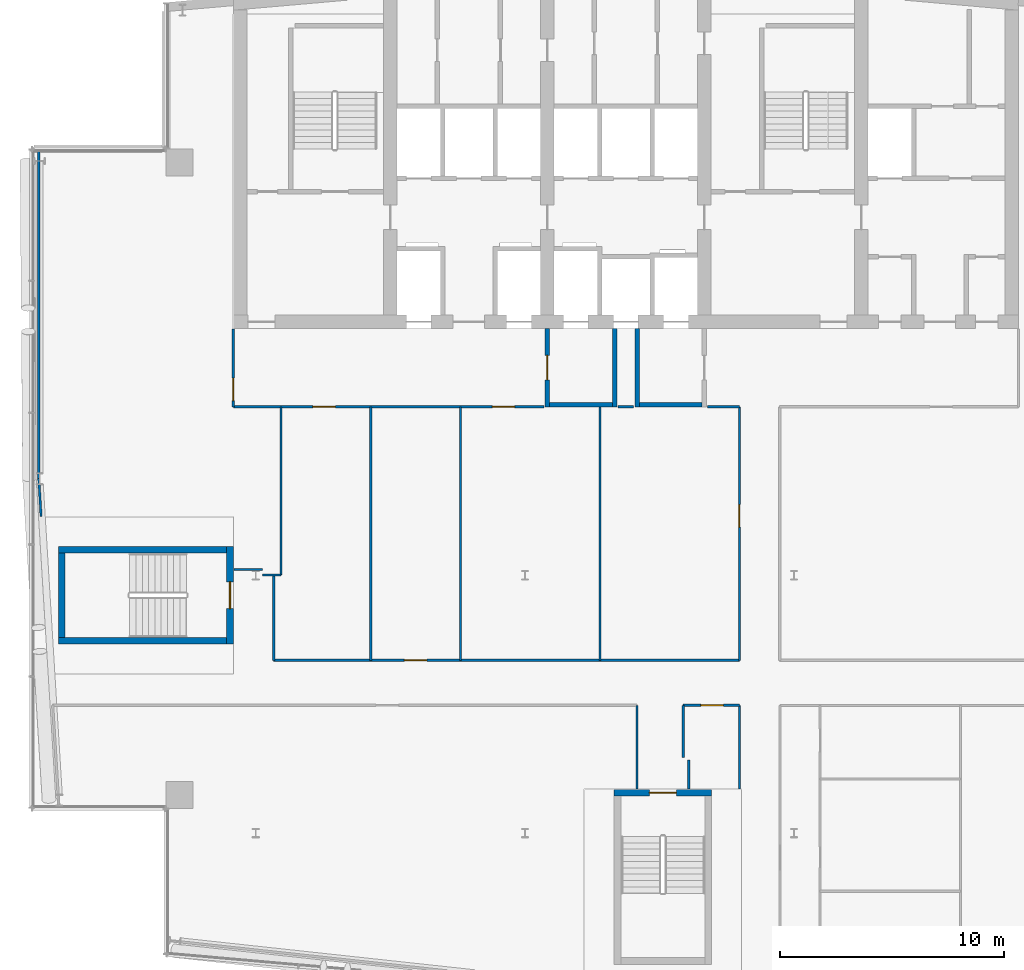
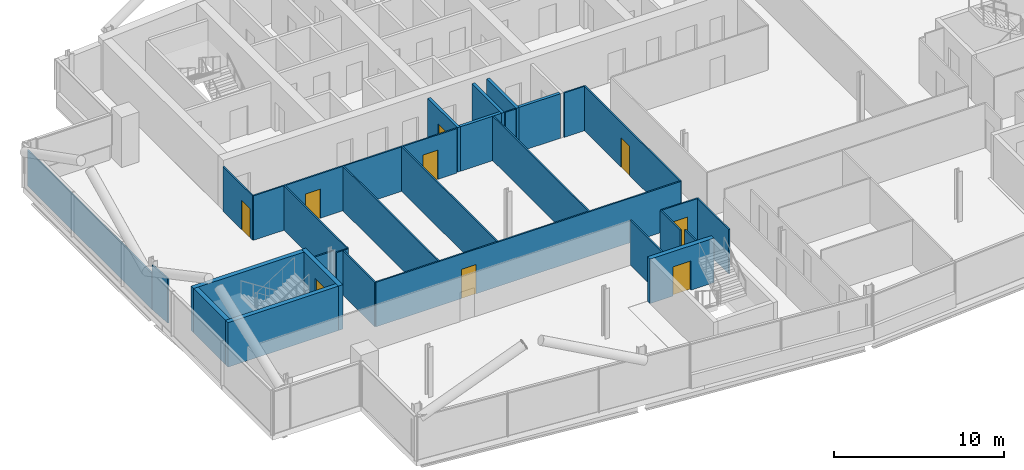
# One storey, part 15 of 26: 30 walls, 9 doors, 9 openings.
"""IFC4 building model written with IfcOpenShell, lengths in metres."""

from ifc_helpers import new_model, si_unit, direction, frame, frame_2d, origin, place, context, subcontext, project, spatial, rectangle, extrude, material, layer, layer_set, type_object, element, fill, save


model = new_model("IFC4")

# Units and contexts
model_context = context("Model", 3, precision=1e-05, world=origin(), true_north=direction((0.0, 1.0)))
body_context = subcontext(model_context, "Body", "Model", "MODEL_VIEW")
ifc_project = project(units=[si_unit("LENGTHUNIT", "METRE"), si_unit("AREAUNIT", "SQUARE_METRE"), si_unit("VOLUMEUNIT", "CUBIC_METRE"), si_unit("PLANEANGLEUNIT", "RADIAN"), si_unit("MASSUNIT", "GRAM", prefix="KILO")], contexts=[model_context])

# Site, building, storey
site_placement = place(None, origin())
site = spatial("IfcSite", under=ifc_project, at=site_placement, CompositionType="ELEMENT")
building_placement = place(site_placement, origin())
building = spatial("IfcBuilding", under=site, at=building_placement, Name="Wharfspan Tower", CompositionType="ELEMENT")
storey_placement = place(building_placement, frame((0.0, 0.0, 217.899902)))
storey = spatial("IfcBuildingStorey", under=building, at=storey_placement, Name="L54", CompositionType="ELEMENT", Elevation=217.899902)

# Wall, opening, door
ifc_material_1 = material(Name="Gypsum board on steel studs", Category="steel")
ifc_layer_1 = layer(ifc_material_1, 0.100098)
ifc_layer_set_1 = layer_set([ifc_layer_1], Name="Gypsum board on steel studs")
wall_type_1 = type_object("IfcWallType", Name="Compartment wall 100 EI 60", PredefinedType="PARTITIONING", material=ifc_layer_set_1)
wall_1_placement = place(storey_placement, frame((23.0, 30.5, 0.0), z_axis=(0.0, 0.0, 1.0), x_axis=(0.0, 1.0, 0.0)))
wall_1 = element("IfcWall", 1, at=wall_1_placement, inside=storey, type_object=wall_type_1, Name="Partition L54.w005", PredefinedType="PARTITIONING", context=body_context, shape_type="SweptSolid", body=[
    extrude(rectangle(XDim=3.47998, YDim=0.100098, at=frame_2d((1.73999, 0.0))), origin(), (0.0, 0.0, 1.0), 3.200195),
])
opening_1_placement = place(wall_1_placement, frame((0.280029, 0.0, 0.0)))
opening_1 = element("IfcOpeningElement", 2, at=opening_1_placement, cuts=wall_1, Name="Opening D2-16", PredefinedType="OPENING", context=body_context, shape_type="SweptSolid", body=[
    extrude(rectangle(XDim=1.0, YDim=2.100098, at=frame_2d((0.5, 1.050049))), frame((0.0, 0.060059, 0.0), z_axis=(0.0, -1.0, 0.0), x_axis=(1.0, 0.0, 0.0)), (0.0, 0.0, 1.0), 0.120117),
])
ifc_material_2 = material(Name="Fire-rated timber door leaf in steel frame", Category="steel")
door_type_1 = type_object("IfcDoorType", Name="Door 1000 FD30S Left", OperationType="SINGLE_SWING_LEFT", PredefinedType="DOOR", material=ifc_material_2)
door_1_placement = place(opening_1_placement, origin())
door_1 = element("IfcDoor", 3, at=door_1_placement, inside=storey, type_object=door_type_1, Name="Door D2-16", OperationType="SINGLE_SWING_LEFT", OverallHeight=2.100098, OverallWidth=1.0, PredefinedType="DOOR", context=body_context, shape_type="SweptSolid", body=[
    extrude(rectangle(XDim=1.0, YDim=2.100098, at=frame_2d((0.5, 1.050049))), frame((0.0, 0.024902, 0.0), z_axis=(0.0, -1.0, 0.0), x_axis=(1.0, 0.0, 0.0)), (0.0, 0.0, 1.0), 0.050049),
])
fill(opening_1, door_1)

# Wall, openings, doors
wall_2_placement = place(storey_placement, frame((23.0, 30.5, 0.0), z_axis=(0.0, 0.0, 1.0), x_axis=(1.0, 0.0, 0.0)))
wall_2 = element("IfcWall", 4, at=wall_2_placement, inside=storey, type_object=wall_type_1, Name="Partition L54.w006", PredefinedType="PARTITIONING", context=body_context, shape_type="SweptSolid", body=[
    extrude(rectangle(XDim=13.850098, YDim=0.100098, at=frame_2d((6.925049, 0.0))), origin(), (0.0, 0.0, 1.0), 3.200195),
])
opening_2_placement = place(wall_2_placement, frame((3.544922, 0.0, 0.0)))
opening_2 = element("IfcOpeningElement", 5, at=opening_2_placement, cuts=wall_2, Name="Opening D2-13", PredefinedType="OPENING", context=body_context, shape_type="SweptSolid", body=[
    extrude(rectangle(XDim=1.0, YDim=2.100098, at=frame_2d((0.5, 1.050049))), frame((0.0, 0.060059, 0.0), z_axis=(0.0, -1.0, 0.0), x_axis=(1.0, 0.0, 0.0)), (0.0, 0.0, 1.0), 0.120117),
])
opening_3_placement = place(wall_2_placement, frame((11.544922, 0.0, 0.0)))
opening_3 = element("IfcOpeningElement", 6, at=opening_3_placement, cuts=wall_2, Name="Opening D2-14", PredefinedType="OPENING", context=body_context, shape_type="SweptSolid", body=[
    extrude(rectangle(XDim=1.0, YDim=2.100098, at=frame_2d((0.5, 1.050049))), frame((0.0, 0.060059, 0.0), z_axis=(0.0, -1.0, 0.0), x_axis=(1.0, 0.0, 0.0)), (0.0, 0.0, 1.0), 0.120117),
])
door_2_placement = place(opening_2_placement, origin())
door_2 = element("IfcDoor", 7, at=door_2_placement, inside=storey, type_object=door_type_1, Name="Door D2-13", OperationType="SINGLE_SWING_LEFT", OverallHeight=2.100098, OverallWidth=1.0, PredefinedType="DOOR", context=body_context, shape_type="SweptSolid", body=[
    extrude(rectangle(XDim=1.0, YDim=2.100098, at=frame_2d((0.5, 1.050049))), frame((0.0, 0.024902, 0.0), z_axis=(0.0, -1.0, 0.0), x_axis=(1.0, 0.0, 0.0)), (0.0, 0.0, 1.0), 0.050049),
])
fill(opening_2, door_2)
door_type_2 = type_object("IfcDoorType", Name="Door 1000 FD30S Right", OperationType="SINGLE_SWING_RIGHT", PredefinedType="DOOR", material=ifc_material_2)
door_3_placement = place(opening_3_placement, origin())
door_3 = element("IfcDoor", 8, at=door_3_placement, inside=storey, type_object=door_type_2, Name="Door D2-14", OperationType="SINGLE_SWING_RIGHT", OverallHeight=2.100098, OverallWidth=1.0, PredefinedType="DOOR", context=body_context, shape_type="SweptSolid", body=[
    extrude(rectangle(XDim=1.0, YDim=2.100098, at=frame_2d((0.5, 1.050049))), frame((0.0, 0.024902, 0.0), z_axis=(0.0, -1.0, 0.0), x_axis=(1.0, 0.0, 0.0)), (0.0, 0.0, 1.0), 0.050049),
])
fill(opening_3, door_3)

# Walls
wall_3_placement = place(storey_placement, frame((23.02002, 23.25, 0.0), z_axis=(0.0, 0.0, 1.0), x_axis=(1.0, 0.0, 0.0)))
element("IfcWall", 9, at=wall_3_placement, inside=storey, type_object=wall_type_1, Name="Partition L54.w007", PredefinedType="PARTITIONING", context=body_context, shape_type="SweptSolid", body=[
    extrude(rectangle(XDim=1.280029, YDim=0.100098, at=frame_2d((0.640137, 0.0))), origin(), (0.0, 0.0, 1.0), 3.200195),
])
wall_4_placement = place(storey_placement, frame((24.304932, 23.0, 0.0), z_axis=(0.0, 0.0, 1.0), x_axis=(1.0, 0.0, 0.0)))
element("IfcWall", 10, at=wall_4_placement, inside=storey, type_object=wall_type_1, Name="Partition L54.w008", PredefinedType="PARTITIONING", context=body_context, shape_type="SweptSolid", body=[
    extrude(rectangle(XDim=0.820068, YDim=0.100098, at=frame_2d((0.410156, 0.0))), origin(), (0.0, 0.0, 1.0), 3.200195),
])
wall_5_placement = place(storey_placement, frame((24.800049, 19.199951, 0.0), z_axis=(0.0, 0.0, 1.0), x_axis=(0.0, 1.0, 0.0)))
element("IfcWall", 11, at=wall_5_placement, inside=storey, type_object=wall_type_1, Name="Partition L54.w009", PredefinedType="PARTITIONING", context=body_context, shape_type="SweptSolid", body=[
    extrude(rectangle(XDim=3.800049, YDim=0.100098, at=frame_2d((1.899902, 0.0))), origin(), (0.0, 0.0, 1.0), 3.200195),
])

# Wall, opening, door
wall_6_placement = place(storey_placement, frame((24.800049, 19.199951, 0.0), z_axis=(0.0, 0.0, 1.0), x_axis=(1.0, 0.0, 0.0)))
wall_6 = element("IfcWall", 12, at=wall_6_placement, inside=storey, type_object=wall_type_1, Name="Partition L54.w010", PredefinedType="PARTITIONING", context=body_context, shape_type="SweptSolid", body=[
    extrude(rectangle(XDim=20.76001, YDim=0.100098, at=frame_2d((10.379883, 0.0))), origin(), (0.0, 0.0, 1.0), 3.200195),
])
opening_4_placement = place(wall_6_placement, frame((5.824951, 0.0, 0.0)))
opening_4 = element("IfcOpeningElement", 13, at=opening_4_placement, cuts=wall_6, Name="Opening D2-09", PredefinedType="OPENING", context=body_context, shape_type="SweptSolid", body=[
    extrude(rectangle(XDim=1.0, YDim=2.100098, at=frame_2d((0.5, 1.050049))), frame((0.0, 0.060059, 0.0), z_axis=(0.0, -1.0, 0.0), x_axis=(1.0, 0.0, 0.0)), (0.0, 0.0, 1.0), 0.120117),
])
door_4_placement = place(opening_4_placement, origin())
door_4 = element("IfcDoor", 14, at=door_4_placement, inside=storey, type_object=door_type_1, Name="Door D2-09", OperationType="SINGLE_SWING_LEFT", OverallHeight=2.100098, OverallWidth=1.0, PredefinedType="DOOR", context=body_context, shape_type="SweptSolid", body=[
    extrude(rectangle(XDim=1.0, YDim=2.100098, at=frame_2d((0.5, 1.050049))), frame((0.0, 0.024902, 0.0), z_axis=(0.0, -1.0, 0.0), x_axis=(1.0, 0.0, 0.0)), (0.0, 0.0, 1.0), 0.050049),
])
fill(opening_4, door_4)

# Walls
wall_7_placement = place(storey_placement, frame((25.125, 23.0, 0.0), z_axis=(0.0, 0.0, 1.0), x_axis=(0.0, 1.0, 0.0)))
element("IfcWall", 15, at=wall_7_placement, inside=storey, type_object=wall_type_1, Name="Partition L54.w011", PredefinedType="PARTITIONING", context=body_context, shape_type="SweptSolid", body=[
    extrude(rectangle(XDim=7.5, YDim=0.100098, at=frame_2d((3.75, 0.0))), origin(), (0.0, 0.0, 1.0), 3.200195),
])
for number, where, z_axis, x_axis, name in (
    (16, (29.125, 19.199951, 0.0), (0.0, 0.0, 1.0), (0.0, 1.0, 0.0), "Partition L54.w012"),
    (17, (33.125, 19.199951, 0.0), (0.0, 0.0, 1.0), (0.0, 1.0, 0.0), "Partition L54.w013"),
    (18, (39.344971, 19.199951, 0.0), (0.0, 0.0, 1.0), (0.0, 1.0, 0.0), "Partition L54.w015"),
):
    element("IfcWall", number, at=place(storey_placement, frame(where, z_axis=z_axis, x_axis=x_axis)), inside=storey, type_object=wall_type_1, Name=name, PredefinedType="PARTITIONING", context=body_context, shape_type="SweptSolid", body=[
        extrude(rectangle(XDim=11.300049, YDim=0.100098, at=frame_2d((5.649902, 0.0))), origin(), (0.0, 0.0, 1.0), 3.200195),
    ])
wall_8_placement = place(storey_placement, frame((41.0, 13.463135, 0.0), z_axis=(0.0, 0.0, 1.0), x_axis=(0.0, 1.0, 0.0)))
element("IfcWall", 19, at=wall_8_placement, inside=storey, type_object=wall_type_1, Name="Partition L54.w016", PredefinedType="PARTITIONING", context=body_context, shape_type="SweptSolid", body=[
    extrude(rectangle(XDim=3.731934, YDim=0.100098, at=frame_2d((1.865967, 0.0))), origin(), (0.0, 0.0, 1.0), 3.200195),
])
wall_9_placement = place(storey_placement, frame((43.054932, 14.860107, 0.0), z_axis=(0.0, 0.0, 1.0), x_axis=(0.0, 1.0, 0.0)))
element("IfcWall", 20, at=wall_9_placement, inside=storey, type_object=wall_type_1, Name="Partition L54.w017", PredefinedType="PARTITIONING", context=body_context, shape_type="SweptSolid", body=[
    extrude(rectangle(XDim=2.334961, YDim=0.100098, at=frame_2d((1.16748, 0.0))), origin(), (0.0, 0.0, 1.0), 3.200195),
])

# Wall, opening, door
wall_10_placement = place(storey_placement, frame((43.054932, 17.195068, 0.0), z_axis=(0.0, 0.0, 1.0), x_axis=(1.0, 0.0, 0.0)))
wall_10 = element("IfcWall", 21, at=wall_10_placement, inside=storey, type_object=wall_type_1, Name="Partition L54.w018", PredefinedType="PARTITIONING", context=body_context, shape_type="SweptSolid", body=[
    extrude(rectangle(XDim=2.505127, YDim=0.100098, at=frame_2d((1.252441, 0.0))), origin(), (0.0, 0.0, 1.0), 3.200195),
])
opening_5_placement = place(wall_10_placement, frame((0.789307, 0.0, 0.0)))
opening_5 = element("IfcOpeningElement", 22, at=opening_5_placement, cuts=wall_10, Name="Opening D2-07", PredefinedType="OPENING", context=body_context, shape_type="SweptSolid", body=[
    extrude(rectangle(XDim=1.0, YDim=2.100098, at=frame_2d((0.5, 1.050049))), frame((0.0, 0.060059, 0.0), z_axis=(0.0, -1.0, 0.0), x_axis=(1.0, 0.0, 0.0)), (0.0, 0.0, 1.0), 0.120117),
])
door_5_placement = place(opening_5_placement, origin())
door_5 = element("IfcDoor", 23, at=door_5_placement, inside=storey, type_object=door_type_2, Name="Door D2-07", OperationType="SINGLE_SWING_RIGHT", OverallHeight=2.100098, OverallWidth=1.0, PredefinedType="DOOR", context=body_context, shape_type="SweptSolid", body=[
    extrude(rectangle(XDim=1.0, YDim=2.100098, at=frame_2d((0.5, 1.050049))), frame((0.0, 0.024902, 0.0), z_axis=(0.0, -1.0, 0.0), x_axis=(1.0, 0.0, 0.0)), (0.0, 0.0, 1.0), 0.050049),
])
fill(opening_5, door_5)

# Walls
wall_11_placement = place(storey_placement, frame((43.304932, 13.463135, 0.0), z_axis=(0.0, 0.0, 1.0), x_axis=(0.0, 1.0, 0.0)))
element("IfcWall", 24, at=wall_11_placement, inside=storey, type_object=wall_type_1, Name="Partition L54.w019", PredefinedType="PARTITIONING", context=body_context, shape_type="SweptSolid", body=[
    extrude(rectangle(XDim=1.281982, YDim=0.100098, at=frame_2d((0.641113, 0.0))), origin(), (0.0, 0.0, 1.0), 3.200195),
])
wall_12_placement = place(storey_placement, frame((45.560059, 13.463135, 0.0), z_axis=(0.0, 0.0, 1.0), x_axis=(0.0, 1.0, 0.0)))
element("IfcWall", 25, at=wall_12_placement, inside=storey, type_object=wall_type_1, Name="Partition L54.w020", PredefinedType="PARTITIONING", context=body_context, shape_type="SweptSolid", body=[
    extrude(rectangle(XDim=3.731934, YDim=0.100098, at=frame_2d((1.865967, 0.0))), origin(), (0.0, 0.0, 1.0), 3.200195),
])

# Wall, opening, door
wall_13_placement = place(storey_placement, frame((45.560059, 19.199951, 0.0), z_axis=(0.0, 0.0, 1.0), x_axis=(0.0, 1.0, 0.0)))
wall_13 = element("IfcWall", 26, at=wall_13_placement, inside=storey, type_object=wall_type_1, Name="Partition L54.w021", PredefinedType="PARTITIONING", context=body_context, shape_type="SweptSolid", body=[
    extrude(rectangle(XDim=11.300049, YDim=0.100098, at=frame_2d((5.649902, 0.0))), origin(), (0.0, 0.0, 1.0), 3.200195),
])
opening_6_placement = place(wall_13_placement, frame((5.939941, 0.0, 0.0)))
opening_6 = element("IfcOpeningElement", 27, at=opening_6_placement, cuts=wall_13, Name="Opening D2-12", PredefinedType="OPENING", context=body_context, shape_type="SweptSolid", body=[
    extrude(rectangle(XDim=1.0, YDim=2.100098, at=frame_2d((0.5, 1.050049))), frame((0.0, 0.060059, 0.0), z_axis=(0.0, -1.0, 0.0), x_axis=(1.0, 0.0, 0.0)), (0.0, 0.0, 1.0), 0.120117),
])
door_6_placement = place(opening_6_placement, origin())
door_6 = element("IfcDoor", 28, at=door_6_placement, inside=storey, type_object=door_type_2, Name="Door D2-12", OperationType="SINGLE_SWING_RIGHT", OverallHeight=2.100098, OverallWidth=1.0, PredefinedType="DOOR", context=body_context, shape_type="SweptSolid", body=[
    extrude(rectangle(XDim=1.0, YDim=2.100098, at=frame_2d((0.5, 1.050049))), frame((0.0, 0.024902, 0.0), z_axis=(0.0, -1.0, 0.0), x_axis=(1.0, 0.0, 0.0)), (0.0, 0.0, 1.0), 0.050049),
])
fill(opening_6, door_6)

# Walls
wall_14_placement = place(storey_placement, frame((40.149902, 30.5, 0.0), z_axis=(0.0, 0.0, 1.0), x_axis=(1.0, 0.0, 0.0)))
element("IfcWall", 29, at=wall_14_placement, inside=storey, type_object=wall_type_1, Name="Partition L54.w006 (2)", PredefinedType="PARTITIONING", context=body_context, shape_type="SweptSolid", body=[
    extrude(rectangle(XDim=0.700195, YDim=0.100098, at=frame_2d((0.350098, 0.0))), origin(), (0.0, 0.0, 1.0), 3.200195),
])
wall_15_placement = place(storey_placement, frame((44.149902, 30.5, 0.0), z_axis=(0.0, 0.0, 1.0), x_axis=(1.0, 0.0, 0.0)))
element("IfcWall", 30, at=wall_15_placement, inside=storey, type_object=wall_type_1, Name="Partition L54.w006 (3)", PredefinedType="PARTITIONING", context=body_context, shape_type="SweptSolid", body=[
    extrude(rectangle(XDim=1.410156, YDim=0.100098, at=frame_2d((0.705078, 0.0))), origin(), (0.0, 0.0, 1.0), 3.200195),
])

# Wall, opening, door
ifc_material_3 = material(Name="Concrete C30/37", Category="concrete")
ifc_layer_2 = layer(ifc_material_3, 0.199951)
ifc_layer_set_2 = layer_set([ifc_layer_2], Name="Concrete C30/37")
wall_type_2 = type_object("IfcWallType", Name="Lobby wall 200", PredefinedType="PARTITIONING", material=ifc_layer_set_2)
wall_16_placement = place(storey_placement, frame((37.0, 30.5, 0.0), z_axis=(0.0, 0.0, 1.0), x_axis=(0.0, 1.0, 0.0)))
wall_16 = element("IfcWall", 31, at=wall_16_placement, inside=storey, type_object=wall_type_2, Name="sw:L54:FLFF1W", PredefinedType="PARTITIONING", context=body_context, shape_type="SweptSolid", body=[
    extrude(rectangle(XDim=3.5, YDim=0.199951, at=frame_2d((1.75, 0.0))), origin(), (0.0, 0.0, 1.0), 3.200195),
])
opening_7_placement = place(wall_16_placement, frame((1.199951, 0.0, 0.0)))
opening_7 = element("IfcOpeningElement", 32, at=opening_7_placement, cuts=wall_16, Name="Opening FL.FF1.L54", PredefinedType="OPENING", context=body_context, shape_type="SweptSolid", body=[
    extrude(rectangle(XDim=1.100098, YDim=2.100098, at=frame_2d((0.550049, 1.050049))), frame((0.0, 0.109863, 0.0), z_axis=(0.0, -1.0, 0.0), x_axis=(1.0, 0.0, 0.0)), (0.0, 0.0, 1.0), 0.219971),
])
ifc_material_4 = material(Name="Steel door leaf", Category="steel")
door_type_3 = type_object("IfcDoorType", Name="Firefighting lobby door 1100x2100", OperationType="SINGLE_SWING_LEFT", PredefinedType="DOOR", material=ifc_material_4)
door_7_placement = place(opening_7_placement, origin())
door_7 = element("IfcDoor", 33, at=door_7_placement, inside=storey, type_object=door_type_3, Name="fd:L54:FF1", OperationType="SINGLE_SWING_LEFT", OverallHeight=2.100098, OverallWidth=1.100098, PredefinedType="DOOR", context=body_context, shape_type="SweptSolid", body=[
    extrude(rectangle(XDim=1.100098, YDim=2.100098, at=frame_2d((0.550049, 1.050049))), frame((0.0, 0.024902, 0.0), z_axis=(0.0, -1.0, 0.0), x_axis=(1.0, 0.0, 0.0)), (0.0, 0.0, 1.0), 0.050049),
])
fill(opening_7, door_7)

# Walls
wall_17_placement = place(storey_placement, frame((40.0, 30.5, 0.0), z_axis=(0.0, 0.0, 1.0), x_axis=(0.0, 1.0, 0.0)))
element("IfcWall", 34, at=wall_17_placement, inside=storey, type_object=wall_type_2, Name="sw:L54:FLFF1E", PredefinedType="PARTITIONING", context=body_context, shape_type="SweptSolid", body=[
    extrude(rectangle(XDim=3.5, YDim=0.199951, at=frame_2d((1.75, 0.0))), origin(), (0.0, 0.0, 1.0), 3.200195),
])
wall_18_placement = place(storey_placement, frame((37.100098, 30.600098, 0.0), z_axis=(0.0, 0.0, 1.0), x_axis=(1.0, 0.0, 0.0)))
element("IfcWall", 35, at=wall_18_placement, inside=storey, type_object=wall_type_2, Name="sw:L54:FLFF1F", PredefinedType="PARTITIONING", context=body_context, shape_type="SweptSolid", body=[
    extrude(rectangle(XDim=2.799805, YDim=0.199951, at=frame_2d((1.399902, 0.0))), origin(), (0.0, 0.0, 1.0), 3.200195),
])
wall_19_placement = place(storey_placement, frame((41.0, 30.5, 0.0), z_axis=(0.0, 0.0, 1.0), x_axis=(0.0, 1.0, 0.0)))
element("IfcWall", 36, at=wall_19_placement, inside=storey, type_object=wall_type_2, Name="sw:L54:FLFF2W", PredefinedType="PARTITIONING", context=body_context, shape_type="SweptSolid", body=[
    extrude(rectangle(XDim=3.5, YDim=0.199951, at=frame_2d((1.75, 0.0))), origin(), (0.0, 0.0, 1.0), 3.200195),
])
wall_20_placement = place(storey_placement, frame((41.100098, 30.600098, 0.0), z_axis=(0.0, 0.0, 1.0), x_axis=(1.0, 0.0, 0.0)))
element("IfcWall", 37, at=wall_20_placement, inside=storey, type_object=wall_type_2, Name="sw:L54:FLFF2F", PredefinedType="PARTITIONING", context=body_context, shape_type="SweptSolid", body=[
    extrude(rectangle(XDim=2.799805, YDim=0.199951, at=frame_2d((1.399902, 0.0))), origin(), (0.0, 0.0, 1.0), 3.200195),
])
ifc_layer_3 = layer(ifc_material_1, 0.100098)
ifc_layer_set_3 = layer_set([ifc_layer_3], Name="Gypsum board on steel studs")
wall_type_3 = type_object("IfcWallType", Name="Partition 100", PredefinedType="PARTITIONING", material=ifc_layer_set_3)
wall_21_placement = place(storey_placement, frame((14.324951, 27.300049, 0.0), z_axis=(0.0, 0.0, 1.0), x_axis=(0.0, 1.0, 0.0)))
element("IfcWall", 38, at=wall_21_placement, inside=storey, type_object=wall_type_3, Name="Partition L54.w001", PredefinedType="PARTITIONING", context=body_context, shape_type="SweptSolid", body=[
    extrude(rectangle(XDim=14.679932, YDim=0.100098, at=frame_2d((7.339844, 0.0))), origin(), (0.0, 0.0, 1.0), 2.580078),
])
wall_22_placement = place(storey_placement, frame((14.428711, 25.620117, 0.0), z_axis=(0.0, 0.0, 1.0), x_axis=(-0.061647, 0.998101, 0.0)))
element("IfcWall", 39, at=wall_22_placement, inside=storey, type_object=wall_type_3, Name="Partition L54.w002", PredefinedType="PARTITIONING", context=body_context, shape_type="SweptSolid", body=[
    extrude(rectangle(XDim=1.683105, YDim=0.100098, at=frame_2d((0.841553, 0.0))), origin(), (0.0, 0.0, 1.0), 3.200195),
])

# Wall, opening, door
ifc_material_5 = material(Name="Concrete C40/50", Category="concrete")
ifc_layer_4 = layer(ifc_material_5, 0.300049)
ifc_layer_set_4 = layer_set([ifc_layer_4], Name="Concrete C40/50")
wall_type_4 = type_object("IfcWallType", Name="Stair core wall 300", PredefinedType="SHEAR", material=ifc_layer_set_4)
wall_23_placement = place(storey_placement, frame((22.850098, 19.925049, 0.0), z_axis=(0.0, 0.0, 1.0), x_axis=(0.0, 1.0, 0.0)))
wall_23 = element("IfcWall", 40, at=wall_23_placement, inside=storey, type_object=wall_type_4, Name="ST3 stair enclosure wall L54", PredefinedType="SHEAR", context=body_context, shape_type="SweptSolid", body=[
    extrude(rectangle(XDim=4.349854, YDim=0.300049, at=frame_2d((2.174805, 0.0))), origin(), (0.0, 0.0, 1.0), 3.200195),
])
opening_8_placement = place(wall_23_placement, frame((1.574951, 0.0, 0.0)))
opening_8 = element("IfcOpeningElement", 41, at=opening_8_placement, cuts=wall_23, Name="Opening SD3.L54", PredefinedType="OPENING", context=body_context, shape_type="SweptSolid", body=[
    extrude(rectangle(XDim=1.199951, YDim=2.100098, at=frame_2d((0.600098, 1.050049))), frame((0.0, 0.159912, 0.0), z_axis=(0.0, -1.0, 0.0), x_axis=(1.0, 0.0, 0.0)), (0.0, 0.0, 1.0), 0.320068),
])
door_type_4 = type_object("IfcDoorType", Name="Stair door 1200x2100", OperationType="SINGLE_SWING_LEFT", PredefinedType="DOOR", material=ifc_material_4)
door_8_placement = place(opening_8_placement, origin())
door_8 = element("IfcDoor", 42, at=door_8_placement, inside=storey, type_object=door_type_4, Name="sd:L54:ST3z4", OperationType="SINGLE_SWING_RIGHT", OverallHeight=2.100098, OverallWidth=1.199951, PredefinedType="DOOR", context=body_context, shape_type="SweptSolid", body=[
    extrude(rectangle(XDim=1.199951, YDim=2.100098, at=frame_2d((0.600098, 1.050049))), frame((0.0, 0.024902, 0.0), z_axis=(0.0, -1.0, 0.0), x_axis=(1.0, 0.0, 0.0)), (0.0, 0.0, 1.0), 0.050049),
])
fill(opening_8, door_8)

wall_24_placement = place(storey_placement, frame((39.977051, 13.293213, 0.0), z_axis=(0.0, 0.0, 1.0), x_axis=(1.0, 0.0, 0.0)))
wall_24 = element("IfcWall", 43, at=wall_24_placement, inside=storey, type_object=wall_type_4, Name="ST4 stair enclosure wall L54", PredefinedType="SHEAR", context=body_context, shape_type="SweptSolid", body=[
    extrude(rectangle(XDim=4.350098, YDim=0.300049, at=frame_2d((2.175049, 0.0))), origin(), (0.0, 0.0, 1.0), 3.200195),
])
opening_9_placement = place(wall_24_placement, frame((1.574951, 0.0, 0.0)))
opening_9 = element("IfcOpeningElement", 44, at=opening_9_placement, cuts=wall_24, Name="Opening SD4.L54", PredefinedType="OPENING", context=body_context, shape_type="SweptSolid", body=[
    extrude(rectangle(XDim=1.199951, YDim=2.100098, at=frame_2d((0.600098, 1.050049))), frame((0.0, 0.159912, 0.0), z_axis=(0.0, -1.0, 0.0), x_axis=(1.0, 0.0, 0.0)), (0.0, 0.0, 1.0), 0.320068),
])
door_9_placement = place(opening_9_placement, origin())
door_9 = element("IfcDoor", 45, at=door_9_placement, inside=storey, type_object=door_type_4, Name="sd:L54:ST4z4", OperationType="SINGLE_SWING_RIGHT", OverallHeight=2.100098, OverallWidth=1.199951, PredefinedType="DOOR", context=body_context, shape_type="SweptSolid", body=[
    extrude(rectangle(XDim=1.199951, YDim=2.100098, at=frame_2d((0.600098, 1.050049))), frame((0.0, 0.024902, 0.0), z_axis=(0.0, -1.0, 0.0), x_axis=(1.0, 0.0, 0.0)), (0.0, 0.0, 1.0), 0.050049),
])
fill(opening_9, door_9)

# Walls
for number, where, z_axis, x_axis, name in (
    (46, (15.199951, 20.074951, 0.0), (0.0, 0.0, 1.0), (1.0, 0.0, 0.0), "ST3 stair enclosure wall L54"),
    (47, (15.199951, 24.125, 0.0), (0.0, 0.0, 1.0), (1.0, 0.0, 0.0), "ST3 stair enclosure wall L54"),
):
    element("IfcWall", number, at=place(storey_placement, frame(where, z_axis=z_axis, x_axis=x_axis)), inside=storey, type_object=wall_type_4, Name=name, PredefinedType="SHEAR", context=body_context, shape_type="SweptSolid", body=[
        extrude(rectangle(XDim=7.5, YDim=0.300049, at=frame_2d((3.75, 0.0))), origin(), (0.0, 0.0, 1.0), 3.200195),
    ])
wall_25_placement = place(storey_placement, frame((15.350098, 20.225098, 0.0), z_axis=(0.0, 0.0, 1.0), x_axis=(0.0, 1.0, 0.0)))
element("IfcWall", 48, at=wall_25_placement, inside=storey, type_object=wall_type_4, Name="ST3 stair enclosure wall L54", PredefinedType="SHEAR", context=body_context, shape_type="SweptSolid", body=[
    extrude(rectangle(XDim=3.75, YDim=0.300049, at=frame_2d((1.875, 0.0))), origin(), (0.0, 0.0, 1.0), 3.200195),
])

save(model, "model.ifc")
